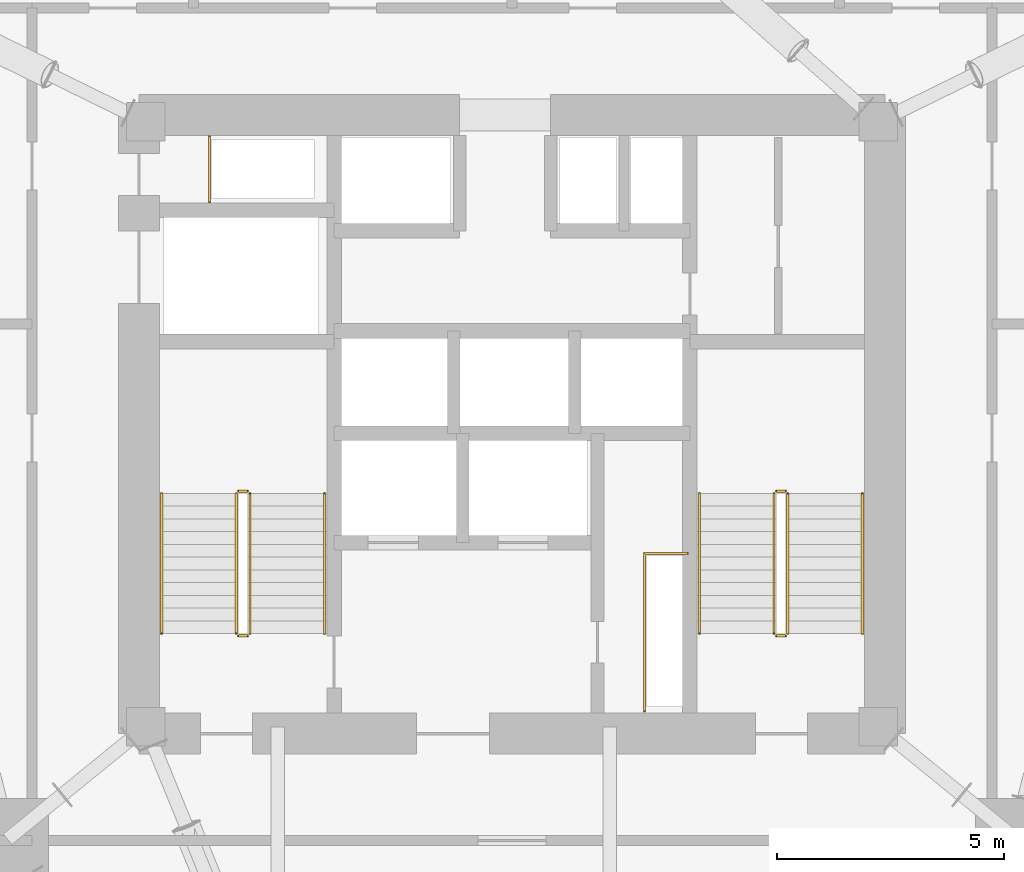
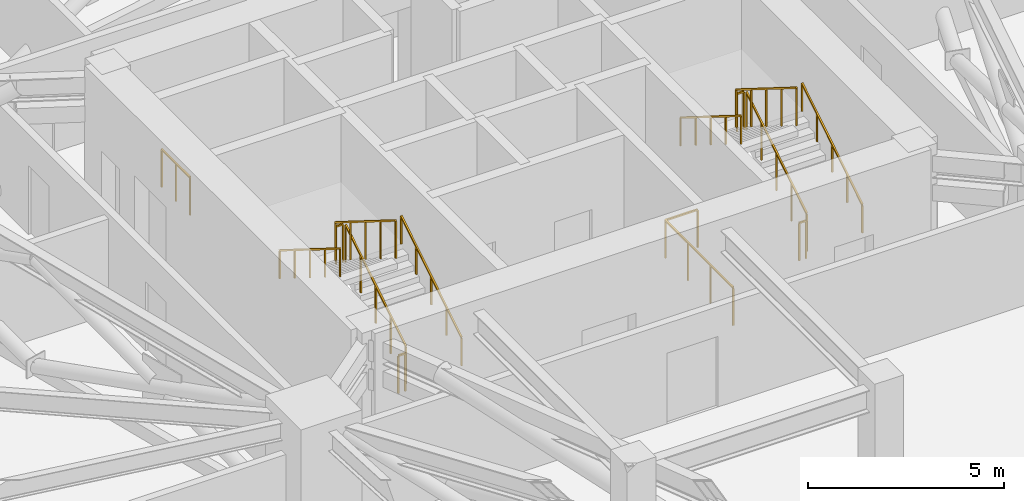
# One storey, part 20 of 20: 14 railings.
"""IFC4 building model written with IfcOpenShell, lengths in metres."""

from ifc_helpers import new_model, si_unit, direction, frame, origin, origin_2d, place, context, subcontext, project, spatial, rectangle, extrude, material, type_object, element, save


model = new_model("IFC4")

# Units and contexts
model_context = context("Model", 3, precision=1e-05, world=origin(), true_north=direction((0.0, 1.0)))
body_context = subcontext(model_context, "Body", "Model", "MODEL_VIEW")
ifc_project = project(units=[si_unit("LENGTHUNIT", "METRE"), si_unit("AREAUNIT", "SQUARE_METRE"), si_unit("VOLUMEUNIT", "CUBIC_METRE"), si_unit("PLANEANGLEUNIT", "RADIAN"), si_unit("MASSUNIT", "GRAM", prefix="KILO")], contexts=[model_context])

# Site, building, storey
site_placement = place(None, origin())
site = spatial("IfcSite", under=ifc_project, at=site_placement, CompositionType="ELEMENT")
building_placement = place(site_placement, origin())
building = spatial("IfcBuilding", under=site, at=building_placement, Name="Talyreon Biosciences Tower", CompositionType="ELEMENT")
storey_placement = place(building_placement, frame((0.0, 0.0, 66.60009765625)))
storey = spatial("IfcBuildingStorey", under=building, at=storey_placement, Name="L17", CompositionType="ELEMENT", Elevation=66.60009765625)

# Railings
ifc_material_1 = material(Name="Brushed stainless-steel tubular handrail", Category="steel")
railing_type_1 = type_object("IfcRailingType", Name="StairWallHandrail_900", PredefinedType="HANDRAIL", material=ifc_material_1)
railing_1_placement = place(storey_placement, frame((61.8798828125, 63.39990234375, 0.1748046875)))
element("IfcRailing", 1, at=railing_1_placement, inside=storey, type_object=railing_type_1, Name="L17 ST-1 stair handrail 1", PredefinedType="HANDRAIL", context=body_context, shape_type="SweptSolid", body=[
    extrude(rectangle(XDim=0.048095703125, YDim=0.048095703125, at=origin_2d()), frame((0.0, 0.0, 0.8759765625), z_axis=(0.0, 0.847998304005, 0.529998940003), x_axis=(-1.0, 0.0, 0.0)), (0.0, 0.0, 1.0), 3.632080078125),
    extrude(rectangle(XDim=0.0419921875, YDim=0.0419921875, at=origin_2d()), origin(), (0.0, 0.0, 1.0), 0.851806640625),
    extrude(rectangle(XDim=0.0419921875, YDim=0.0419921875, at=origin_2d()), frame((0.0, 0.77001953125, 0.481201171875)), (0.0, 0.0, 1.0), 0.851806640625),
    extrude(rectangle(XDim=0.0419921875, YDim=0.0419921875, at=origin_2d()), frame((0.0, 1.5400390625, 0.96240234375)), (0.0, 0.0, 1.0), 0.851806640625),
    extrude(rectangle(XDim=0.0419921875, YDim=0.0419921875, at=origin_2d()), frame((0.0, 2.31005859375, 1.44384765625)), (0.0, 0.0, 1.0), 0.851806640625),
    extrude(rectangle(XDim=0.0419921875, YDim=0.0419921875, at=origin_2d()), frame((0.0, 3.080078125, 1.925048828125)), (0.0, 0.0, 1.0), 0.851806640625),
])
railing_2_placement = place(storey_placement, frame((58.300048828125, 66.47998046875, 2.27490234375)))
element("IfcRailing", 2, at=railing_2_placement, inside=storey, type_object=railing_type_1, Name="L17 ST-1 stair handrail 2", PredefinedType="HANDRAIL", context=body_context, shape_type="SweptSolid", body=[
    extrude(rectangle(XDim=0.048095703125, YDim=0.048095703125, at=origin_2d()), frame((0.0, 0.0, 0.8759765625), z_axis=(0.0, -0.847998304005, 0.529998940003), x_axis=(1.0, 0.0, 0.0)), (0.0, 0.0, 1.0), 3.632080078125),
    extrude(rectangle(XDim=0.0419921875, YDim=0.0419921875, at=origin_2d()), origin(), (0.0, 0.0, 1.0), 0.851806640625),
    extrude(rectangle(XDim=0.0419921875, YDim=0.0419921875, at=origin_2d()), frame((0.0, -0.77001953125, 0.481201171875)), (0.0, 0.0, 1.0), 0.851806640625),
    extrude(rectangle(XDim=0.0419921875, YDim=0.0419921875, at=origin_2d()), frame((0.0, -1.5400390625, 0.96240234375)), (0.0, 0.0, 1.0), 0.851806640625),
    extrude(rectangle(XDim=0.0419921875, YDim=0.0419921875, at=origin_2d()), frame((0.0, -2.31005859375, 1.44384765625)), (0.0, 0.0, 1.0), 0.851806640625),
    extrude(rectangle(XDim=0.0419921875, YDim=0.0419921875, at=origin_2d()), frame((0.0, -3.080078125, 1.925048828125)), (0.0, 0.0, 1.0), 0.851806640625),
])
railing_3_placement = place(storey_placement, frame((73.699951171875, 63.39990234375, 0.1748046875)))
element("IfcRailing", 3, at=railing_3_placement, inside=storey, type_object=railing_type_1, Name="L17 ST-2 stair handrail 1", PredefinedType="HANDRAIL", context=body_context, shape_type="SweptSolid", body=[
    extrude(rectangle(XDim=0.048095703125, YDim=0.048095703125, at=origin_2d()), frame((0.0, 0.0, 0.8759765625), z_axis=(0.0, 0.847998304005, 0.529998940003), x_axis=(-1.0, 0.0, 0.0)), (0.0, 0.0, 1.0), 3.632080078125),
    extrude(rectangle(XDim=0.0419921875, YDim=0.0419921875, at=origin_2d()), origin(), (0.0, 0.0, 1.0), 0.851806640625),
    extrude(rectangle(XDim=0.0419921875, YDim=0.0419921875, at=origin_2d()), frame((0.0, 0.77001953125, 0.481201171875)), (0.0, 0.0, 1.0), 0.851806640625),
    extrude(rectangle(XDim=0.0419921875, YDim=0.0419921875, at=origin_2d()), frame((0.0, 1.5400390625, 0.96240234375)), (0.0, 0.0, 1.0), 0.851806640625),
    extrude(rectangle(XDim=0.0419921875, YDim=0.0419921875, at=origin_2d()), frame((0.0, 2.31005859375, 1.44384765625)), (0.0, 0.0, 1.0), 0.851806640625),
    extrude(rectangle(XDim=0.0419921875, YDim=0.0419921875, at=origin_2d()), frame((0.0, 3.080078125, 1.925048828125)), (0.0, 0.0, 1.0), 0.851806640625),
])
railing_4_placement = place(storey_placement, frame((70.1201171875, 66.47998046875, 2.27490234375)))
element("IfcRailing", 4, at=railing_4_placement, inside=storey, type_object=railing_type_1, Name="L17 ST-2 stair handrail 2", PredefinedType="HANDRAIL", context=body_context, shape_type="SweptSolid", body=[
    extrude(rectangle(XDim=0.048095703125, YDim=0.048095703125, at=origin_2d()), frame((0.0, 0.0, 0.8759765625), z_axis=(0.0, -0.847998304005, 0.529998940003), x_axis=(1.0, 0.0, 0.0)), (0.0, 0.0, 1.0), 3.632080078125),
    extrude(rectangle(XDim=0.0419921875, YDim=0.0419921875, at=origin_2d()), origin(), (0.0, 0.0, 1.0), 0.851806640625),
    extrude(rectangle(XDim=0.0419921875, YDim=0.0419921875, at=origin_2d()), frame((0.0, -0.77001953125, 0.481201171875)), (0.0, 0.0, 1.0), 0.851806640625),
    extrude(rectangle(XDim=0.0419921875, YDim=0.0419921875, at=origin_2d()), frame((0.0, -1.5400390625, 0.96240234375)), (0.0, 0.0, 1.0), 0.851806640625),
    extrude(rectangle(XDim=0.0419921875, YDim=0.0419921875, at=origin_2d()), frame((0.0, -2.31005859375, 1.44384765625)), (0.0, 0.0, 1.0), 0.851806640625),
    extrude(rectangle(XDim=0.0419921875, YDim=0.0419921875, at=origin_2d()), frame((0.0, -3.080078125, 1.925048828125)), (0.0, 0.0, 1.0), 0.851806640625),
])
ifc_material_2 = material(Name="Painted galvanised steel post-and-rail balustrade", Category="steel")
railing_type_2 = type_object("IfcRailingType", Name="TerraceStairGuard_1200", PredefinedType="GUARDRAIL", material=ifc_material_2)
railing_5_placement = place(storey_placement, frame((60.239990234375, 63.39990234375, 0.1748046875)))
element("IfcRailing", 5, at=railing_5_placement, inside=storey, type_object=railing_type_2, Name="L17 ST-1 stair guard 1", PredefinedType="GUARDRAIL", context=body_context, shape_type="SweptSolid", body=[
    extrude(rectangle(XDim=0.048095703125, YDim=0.048095703125, at=origin_2d()), frame((0.0, 0.0, 1.17578125), z_axis=(0.0, 0.847998304005, 0.529998940003), x_axis=(-1.0, 0.0, 0.0)), (0.0, 0.0, 1.0), 3.632080078125),
    extrude(rectangle(XDim=0.0419921875, YDim=0.0419921875, at=origin_2d()), origin(), (0.0, 0.0, 1.0), 1.15185546875),
    extrude(rectangle(XDim=0.0419921875, YDim=0.0419921875, at=origin_2d()), frame((0.0, 0.77001953125, 0.481201171875)), (0.0, 0.0, 1.0), 1.15185546875),
    extrude(rectangle(XDim=0.0419921875, YDim=0.0419921875, at=origin_2d()), frame((0.0, 1.5400390625, 0.96240234375)), (0.0, 0.0, 1.0), 1.15185546875),
    extrude(rectangle(XDim=0.0419921875, YDim=0.0419921875, at=origin_2d()), frame((0.0, 2.31005859375, 1.44384765625)), (0.0, 0.0, 1.0), 1.15185546875),
    extrude(rectangle(XDim=0.0419921875, YDim=0.0419921875, at=origin_2d()), frame((0.0, 3.080078125, 1.925048828125)), (0.0, 0.0, 1.0), 1.15185546875),
])
railing_6_placement = place(storey_placement, frame((60.18994140625, 66.530029296875, 2.099853515625)))
element("IfcRailing", 6, at=railing_6_placement, inside=storey, type_object=railing_type_2, Name="L17 ST-1 stair guard 2", PredefinedType="GUARDRAIL", context=body_context, shape_type="SweptSolid", body=[
    extrude(rectangle(XDim=0.048095703125, YDim=0.048095703125, at=origin_2d()), frame((0.0, 0.0, 1.17578125), z_axis=(-1.0, 0.0, 0.0), x_axis=(0.0, -1.0, 0.0)), (0.0, 0.0, 1.0), 0.199951171875),
    extrude(rectangle(XDim=0.0419921875, YDim=0.0419921875, at=origin_2d()), origin(), (0.0, 0.0, 1.0), 1.15185546875),
    extrude(rectangle(XDim=0.0419921875, YDim=0.0419921875, at=origin_2d()), frame((-0.199951171875, 0.0, 0.0)), (0.0, 0.0, 1.0), 1.15185546875),
])
railing_7_placement = place(storey_placement, frame((59.93994140625, 66.47998046875, 2.27490234375)))
element("IfcRailing", 7, at=railing_7_placement, inside=storey, type_object=railing_type_2, Name="L17 ST-1 stair guard 3", PredefinedType="GUARDRAIL", context=body_context, shape_type="SweptSolid", body=[
    extrude(rectangle(XDim=0.048095703125, YDim=0.048095703125, at=origin_2d()), frame((0.0, 0.0, 1.17578125), z_axis=(0.0, -0.847998304005, 0.529998940003), x_axis=(1.0, 0.0, 0.0)), (0.0, 0.0, 1.0), 3.632080078125),
    extrude(rectangle(XDim=0.0419921875, YDim=0.0419921875, at=origin_2d()), origin(), (0.0, 0.0, 1.0), 1.15185546875),
    extrude(rectangle(XDim=0.0419921875, YDim=0.0419921875, at=origin_2d()), frame((0.0, -0.77001953125, 0.481201171875)), (0.0, 0.0, 1.0), 1.15185546875),
    extrude(rectangle(XDim=0.0419921875, YDim=0.0419921875, at=origin_2d()), frame((0.0, -1.5400390625, 0.96240234375)), (0.0, 0.0, 1.0), 1.15185546875),
    extrude(rectangle(XDim=0.0419921875, YDim=0.0419921875, at=origin_2d()), frame((0.0, -2.31005859375, 1.44384765625)), (0.0, 0.0, 1.0), 1.15185546875),
    extrude(rectangle(XDim=0.0419921875, YDim=0.0419921875, at=origin_2d()), frame((0.0, -3.080078125, 1.925048828125)), (0.0, 0.0, 1.0), 1.15185546875),
])
railing_8_placement = place(storey_placement, frame((60.18994140625, 63.35009765625, 0.0)))
element("IfcRailing", 8, at=railing_8_placement, inside=storey, type_object=railing_type_2, Name="L17 ST-1 stair guard 4", PredefinedType="GUARDRAIL", context=body_context, shape_type="SweptSolid", body=[
    extrude(rectangle(XDim=0.048095703125, YDim=0.048095703125, at=origin_2d()), frame((0.0, 0.0, 1.17578125), z_axis=(-1.0, 0.0, 0.0), x_axis=(0.0, -1.0, 0.0)), (0.0, 0.0, 1.0), 0.199951171875),
    extrude(rectangle(XDim=0.0419921875, YDim=0.0419921875, at=origin_2d()), origin(), (0.0, 0.0, 1.0), 1.15185546875),
    extrude(rectangle(XDim=0.0419921875, YDim=0.0419921875, at=origin_2d()), frame((-0.199951171875, 0.0, 0.0)), (0.0, 0.0, 1.0), 1.15185546875),
])
railing_9_placement = place(storey_placement, frame((72.06005859375, 63.39990234375, 0.1748046875)))
element("IfcRailing", 9, at=railing_9_placement, inside=storey, type_object=railing_type_2, Name="L17 ST-2 stair guard 1", PredefinedType="GUARDRAIL", context=body_context, shape_type="SweptSolid", body=[
    extrude(rectangle(XDim=0.048095703125, YDim=0.048095703125, at=origin_2d()), frame((0.0, 0.0, 1.17578125), z_axis=(0.0, 0.847998304005, 0.529998940003), x_axis=(-1.0, 0.0, 0.0)), (0.0, 0.0, 1.0), 3.632080078125),
    extrude(rectangle(XDim=0.0419921875, YDim=0.0419921875, at=origin_2d()), origin(), (0.0, 0.0, 1.0), 1.15185546875),
    extrude(rectangle(XDim=0.0419921875, YDim=0.0419921875, at=origin_2d()), frame((0.0, 0.77001953125, 0.481201171875)), (0.0, 0.0, 1.0), 1.15185546875),
    extrude(rectangle(XDim=0.0419921875, YDim=0.0419921875, at=origin_2d()), frame((0.0, 1.5400390625, 0.96240234375)), (0.0, 0.0, 1.0), 1.15185546875),
    extrude(rectangle(XDim=0.0419921875, YDim=0.0419921875, at=origin_2d()), frame((0.0, 2.31005859375, 1.44384765625)), (0.0, 0.0, 1.0), 1.15185546875),
    extrude(rectangle(XDim=0.0419921875, YDim=0.0419921875, at=origin_2d()), frame((0.0, 3.080078125, 1.925048828125)), (0.0, 0.0, 1.0), 1.15185546875),
])
railing_10_placement = place(storey_placement, frame((72.010009765625, 66.530029296875, 2.099853515625)))
element("IfcRailing", 10, at=railing_10_placement, inside=storey, type_object=railing_type_2, Name="L17 ST-2 stair guard 2", PredefinedType="GUARDRAIL", context=body_context, shape_type="SweptSolid", body=[
    extrude(rectangle(XDim=0.048095703125, YDim=0.048095703125, at=origin_2d()), frame((0.0, 0.0, 1.17578125), z_axis=(-1.0, 0.0, 0.0), x_axis=(0.0, -1.0, 0.0)), (0.0, 0.0, 1.0), 0.199951171875),
    extrude(rectangle(XDim=0.0419921875, YDim=0.0419921875, at=origin_2d()), origin(), (0.0, 0.0, 1.0), 1.15185546875),
    extrude(rectangle(XDim=0.0419921875, YDim=0.0419921875, at=origin_2d()), frame((-0.199951171875, 0.0, 0.0)), (0.0, 0.0, 1.0), 1.15185546875),
])
railing_11_placement = place(storey_placement, frame((71.760009765625, 66.47998046875, 2.27490234375)))
element("IfcRailing", 11, at=railing_11_placement, inside=storey, type_object=railing_type_2, Name="L17 ST-2 stair guard 3", PredefinedType="GUARDRAIL", context=body_context, shape_type="SweptSolid", body=[
    extrude(rectangle(XDim=0.048095703125, YDim=0.048095703125, at=origin_2d()), frame((0.0, 0.0, 1.17578125), z_axis=(0.0, -0.847998304005, 0.529998940003), x_axis=(1.0, 0.0, 0.0)), (0.0, 0.0, 1.0), 3.632080078125),
    extrude(rectangle(XDim=0.0419921875, YDim=0.0419921875, at=origin_2d()), origin(), (0.0, 0.0, 1.0), 1.15185546875),
    extrude(rectangle(XDim=0.0419921875, YDim=0.0419921875, at=origin_2d()), frame((0.0, -0.77001953125, 0.481201171875)), (0.0, 0.0, 1.0), 1.15185546875),
    extrude(rectangle(XDim=0.0419921875, YDim=0.0419921875, at=origin_2d()), frame((0.0, -1.5400390625, 0.96240234375)), (0.0, 0.0, 1.0), 1.15185546875),
    extrude(rectangle(XDim=0.0419921875, YDim=0.0419921875, at=origin_2d()), frame((0.0, -2.31005859375, 1.44384765625)), (0.0, 0.0, 1.0), 1.15185546875),
    extrude(rectangle(XDim=0.0419921875, YDim=0.0419921875, at=origin_2d()), frame((0.0, -3.080078125, 1.925048828125)), (0.0, 0.0, 1.0), 1.15185546875),
])
railing_12_placement = place(storey_placement, frame((72.010009765625, 63.35009765625, 0.0)))
element("IfcRailing", 12, at=railing_12_placement, inside=storey, type_object=railing_type_2, Name="L17 ST-2 stair guard 4", PredefinedType="GUARDRAIL", context=body_context, shape_type="SweptSolid", body=[
    extrude(rectangle(XDim=0.048095703125, YDim=0.048095703125, at=origin_2d()), frame((0.0, 0.0, 1.17578125), z_axis=(-1.0, 0.0, 0.0), x_axis=(0.0, -1.0, 0.0)), (0.0, 0.0, 1.0), 0.199951171875),
    extrude(rectangle(XDim=0.0419921875, YDim=0.0419921875, at=origin_2d()), origin(), (0.0, 0.0, 1.0), 1.15185546875),
    extrude(rectangle(XDim=0.0419921875, YDim=0.0419921875, at=origin_2d()), frame((-0.199951171875, 0.0, 0.0)), (0.0, 0.0, 1.0), 1.15185546875),
])
railing_13_placement = place(storey_placement, frame((59.35009765625, 72.8798828125, 0.0)))
element("IfcRailing", 13, at=railing_13_placement, inside=storey, type_object=railing_type_2, Name="L17 Exhaust Riser Maintenance Guardrail", PredefinedType="GUARDRAIL", context=body_context, shape_type="SweptSolid", body=[
    extrude(rectangle(XDim=0.048095703125, YDim=0.048095703125, at=origin_2d()), frame((0.0, 0.0, 1.17578125), z_axis=(0.0, 1.0, 0.0), x_axis=(-1.0, 0.0, 0.0)), (0.0, 0.0, 1.0), 1.4501953125),
    extrude(rectangle(XDim=0.0419921875, YDim=0.0419921875, at=origin_2d()), origin(), (0.0, 0.0, 1.0), 1.15185546875),
    extrude(rectangle(XDim=0.0419921875, YDim=0.0419921875, at=origin_2d()), frame((0.0, 0.72509765625, 0.0)), (0.0, 0.0, 1.0), 1.15185546875),
    extrude(rectangle(XDim=0.0419921875, YDim=0.0419921875, at=origin_2d()), frame((0.0, 1.4501953125, 0.0)), (0.0, 0.0, 1.0), 1.15185546875),
])
railing_14_placement = place(storey_placement, frame((68.909912109375, 61.699951171875, 0.0)))
element("IfcRailing", 14, at=railing_14_placement, inside=storey, type_object=railing_type_2, Name="L17 Electrical Riser Maintenance Guardrail", PredefinedType="GUARDRAIL", context=body_context, shape_type="SweptSolid", body=[
    extrude(rectangle(XDim=0.048095703125, YDim=0.048095703125, at=origin_2d()), frame((0.0, 0.0, 1.17578125), z_axis=(0.0, 1.0, 0.0), x_axis=(-1.0, 0.0, 0.0)), (0.0, 0.0, 1.0), 3.4599609375),
    extrude(rectangle(XDim=0.048095703125, YDim=0.048095703125, at=origin_2d()), frame((0.0, 3.4599609375, 1.17578125), z_axis=(1.0, 0.0, 0.0), x_axis=(0.0, 1.0, 0.0)), (0.0, 0.0, 1.0), 0.9501953125),
    extrude(rectangle(XDim=0.0419921875, YDim=0.0419921875, at=origin_2d()), origin(), (0.0, 0.0, 1.0), 1.15185546875),
    extrude(rectangle(XDim=0.0419921875, YDim=0.0419921875, at=origin_2d()), frame((0.0, 1.1533203125, 0.0)), (0.0, 0.0, 1.0), 1.15185546875),
    extrude(rectangle(XDim=0.0419921875, YDim=0.0419921875, at=origin_2d()), frame((0.0, 2.306640625, 0.0)), (0.0, 0.0, 1.0), 1.15185546875),
    extrude(rectangle(XDim=0.0419921875, YDim=0.0419921875, at=origin_2d()), frame((0.0, 3.4599609375, 0.0)), (0.0, 0.0, 1.0), 1.15185546875),
    extrude(rectangle(XDim=0.0419921875, YDim=0.0419921875, at=origin_2d()), frame((0.9501953125, 3.4599609375, 0.0)), (0.0, 0.0, 1.0), 1.15185546875),
])

save(model, "model.ifc")
